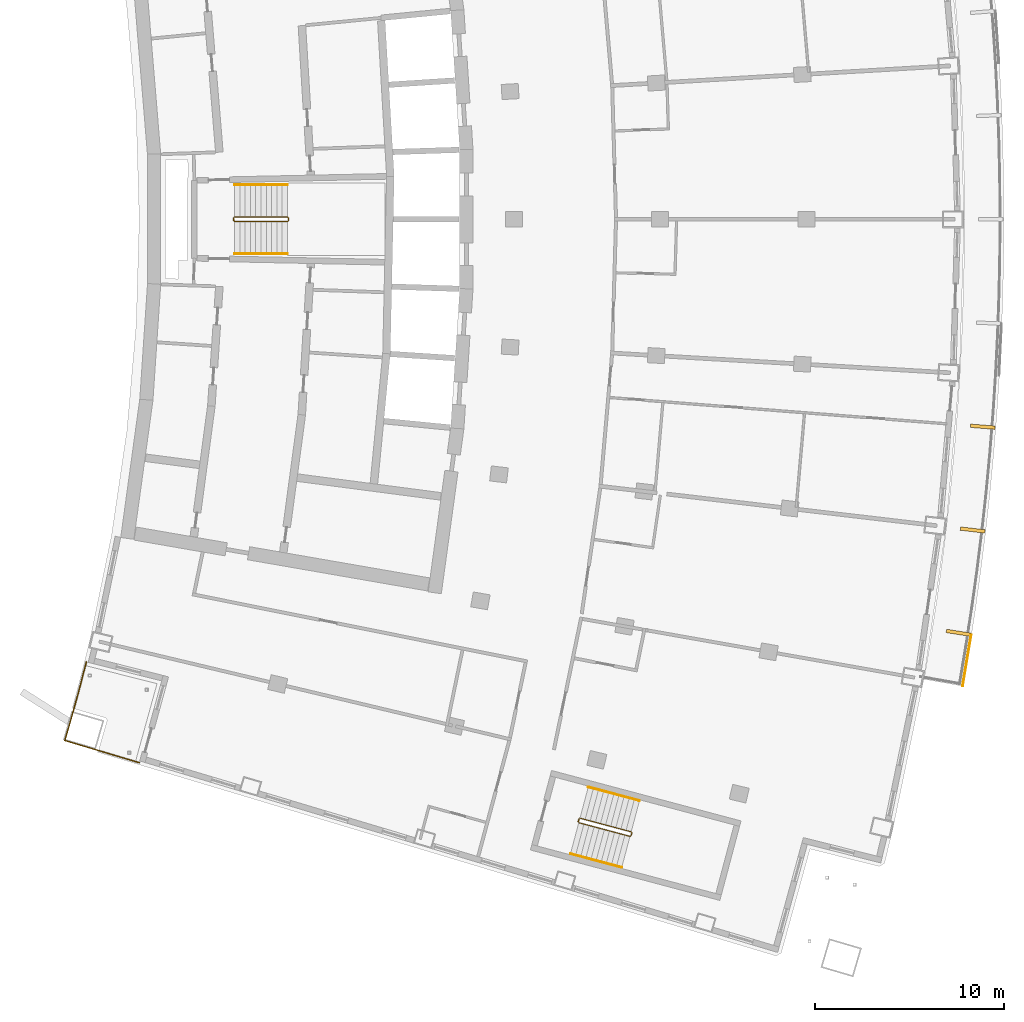
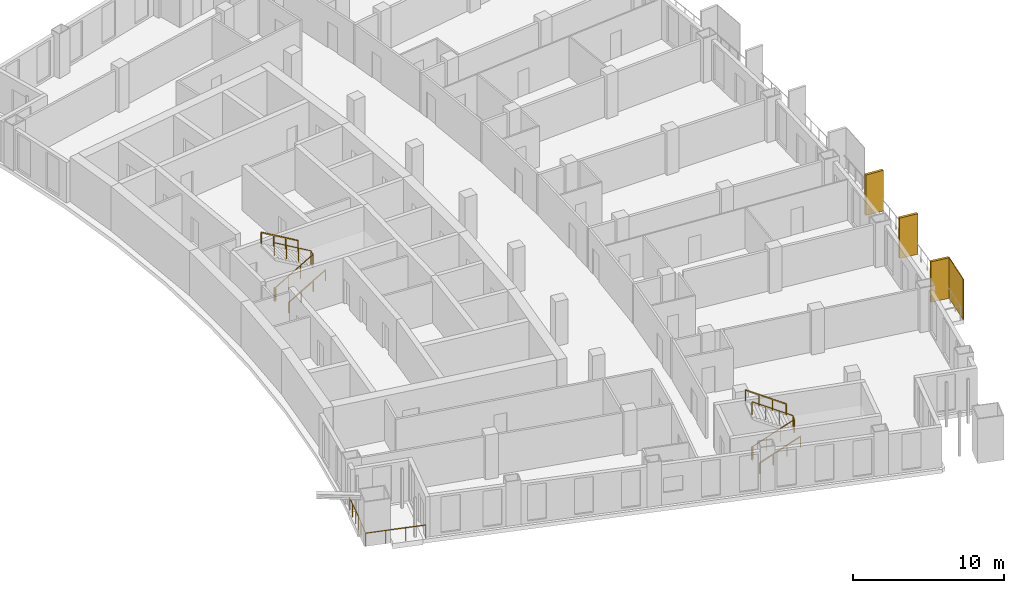
# One storey, part 17 of 19: 7 railings, 4 shading devices.
"""IFC4 building model written with IfcOpenShell, lengths in metres."""

import ifcopenshell
import ifcopenshell.guid

model = None  # the IFC model being written
_history = None  # IfcOwnerHistory: only IFC2X3 demands one
_inside = {}  # id of a spatial element -> (the spatial element, [elements in it])
_under = {}  # id of a project, library or spatial element -> (it, [spatial elements below it])
_declared = {}  # id of a project -> (the project, [libraries it declares])
_typed = {}  # id of a type object -> (the type object, [elements of that type])
_made_of = {}  # id of a material, layer set ... -> (it, [elements and type objects made of it])


def new_model(schema):
    """Start an empty IFC model of exactly this schema.

    Asked for "IFC4X3", IfcOpenShell would pick the latest addendum, in which some entities
    have other attributes; the version numbers below select the first issue.
    IFC2X3 requires an IfcOwnerHistory on every rooted entity: one is made here for all.
    """
    global model, _history
    if schema == "IFC4X3":
        model = ifcopenshell.file(schema_version=(4, 3, 0, 0))
    else:
        model = ifcopenshell.file(schema=schema)
    _inside.clear()
    _under.clear()
    _declared.clear()
    _typed.clear()
    _made_of.clear()
    _history = None
    if model.schema == "IFC2X3":
        org = make("IfcOrganization", Name="unknown")
        user = make(
            "IfcPersonAndOrganization",
            ThePerson=make("IfcPerson", FamilyName="unknown"),
            TheOrganization=org,
        )
        app = make(
            "IfcApplication",
            ApplicationDeveloper=org,
            Version="unknown",
            ApplicationFullName="unknown",
            ApplicationIdentifier="unknown",
        )
        _history = make(
            "IfcOwnerHistory",
            OwningUser=user,
            OwningApplication=app,
            ChangeAction="ADDED",
            CreationDate=0,
        )
    return model


def make(cls, **values):
    """One entity of the class cls with the attributes given. An attribute that is None is left unset."""
    return model.create_entity(
        cls, **{name: value for name, value in values.items() if value is not None}
    )


def rooted(cls, **values):
    """An entity with a GlobalId (a new one), such as an element, a storey or a relation."""
    return make(cls, GlobalId=ifcopenshell.guid.new(), OwnerHistory=_history, **values)


def si_unit(unit_type, name, prefix=None):
    """IfcSIUnit, for example si_unit("LENGTHUNIT", "METRE", prefix="MILLI")."""
    return make("IfcSIUnit", UnitType=unit_type, Prefix=prefix, Name=name)


def assignment(units):
    """IfcUnitAssignment: the units of a project."""
    return None if units is None else make("IfcUnitAssignment", Units=units)


def point(xyz):
    """IfcCartesianPoint."""
    return None if xyz is None else make("IfcCartesianPoint", Coordinates=xyz)


def direction(xyz):
    """IfcDirection."""
    return None if xyz is None else make("IfcDirection", DirectionRatios=xyz)


def frame(location, z_axis=None, x_axis=None):
    """IfcAxis2Placement3D, a coordinate frame: its origin and axes. An axis left out is left unset."""
    return make(
        "IfcAxis2Placement3D",
        Location=point(location),
        Axis=direction(z_axis),
        RefDirection=direction(x_axis),
    )


def frame_2d(location, x_axis=None):
    """IfcAxis2Placement2D, a coordinate frame in the plane: its origin and x axis."""
    return make(
        "IfcAxis2Placement2D", Location=point(location), RefDirection=direction(x_axis)
    )


def origin():
    """The frame at (0, 0, 0) with its axes left unset."""
    return frame((0.0, 0.0, 0.0))


def origin_with_axes():
    """The frame at (0, 0, 0) with the z axis (0, 0, 1) and the x axis (1, 0, 0) written out."""
    return frame((0.0, 0.0, 0.0), z_axis=(0.0, 0.0, 1.0), x_axis=(1.0, 0.0, 0.0))


def origin_2d():
    """The frame at (0, 0) in the plane with its x axis left unset."""
    return frame_2d((0.0, 0.0))


def place(relative_to, where):
    """IfcLocalPlacement: puts the frame where relative to a parent placement (None: the world)."""
    return make(
        "IfcLocalPlacement", PlacementRelTo=relative_to, RelativePlacement=where
    )


def context(
    kind, dimensions, precision=None, world=None, true_north=None, identifier=None
):
    """IfcGeometricRepresentationContext, for example the 3D "Model" context."""
    return make(
        "IfcGeometricRepresentationContext",
        ContextIdentifier=identifier,
        ContextType=kind,
        CoordinateSpaceDimension=dimensions,
        Precision=precision,
        WorldCoordinateSystem=world,
        TrueNorth=true_north,
    )


def subcontext(parent, identifier, kind, view, scale=None):
    """IfcGeometricRepresentationSubContext, for example "Body" below "Model"."""
    return make(
        "IfcGeometricRepresentationSubContext",
        ContextIdentifier=identifier,
        ContextType=kind,
        ParentContext=parent,
        TargetScale=scale,
        TargetView=view,
    )


def project(units=None, contexts=None):
    """IfcProject with its units and contexts."""
    return rooted(
        "IfcProject",
        Name="project",
        RepresentationContexts=contexts,
        UnitsInContext=assignment(units),
    )


def spatial(cls, under=None, at=None, **own):
    """A site, building, storey or space (cls), placed at a placement, below another one or the project."""
    s = rooted(cls, ObjectPlacement=at, **own)
    if under is not None:
        _under.setdefault(under.id(), (under, []))[1].append(s)
    return s


def profile(cls, at=None, kind="AREA", **sizes):
    """A parametric profile (cls). Its sizes go by their IFC names, for example OverallWidth=200.0."""
    return make(cls, ProfileType=kind, Position=at, **sizes)


def rectangle(**sizes):
    """IfcRectangleProfileDef."""
    return profile("IfcRectangleProfileDef", **sizes)


def extrude(swept, where, along, depth):
    """IfcExtrudedAreaSolid: the profile swept, set in the frame where, extruded along a direction by depth."""
    return make(
        "IfcExtrudedAreaSolid",
        SweptArea=swept,
        Position=where,
        ExtrudedDirection=direction(along),
        Depth=depth,
    )


def shape(context_of_items, identifier, shape_type, items):
    """IfcShapeRepresentation: the items that make up one representation, for example the "Body"."""
    return make(
        "IfcShapeRepresentation",
        ContextOfItems=context_of_items,
        RepresentationIdentifier=identifier,
        RepresentationType=shape_type,
        Items=items,
    )


def material(Name=None, Category=None):
    """IfcMaterial."""
    return make("IfcMaterial", Name=Name, Category=Category)


def layer(
    of_material, thickness, ventilated=None, Name=None, Category=None, Priority=None
):
    """IfcMaterialLayer: one layer of a wall or slab, of a material (None: an air gap)."""
    return make(
        "IfcMaterialLayer",
        Material=of_material,
        LayerThickness=thickness,
        IsVentilated=ventilated,
        Name=Name,
        Category=Category,
        Priority=Priority,
    )


def layer_set(layers, Name=None):
    """IfcMaterialLayerSet."""
    return make("IfcMaterialLayerSet", MaterialLayers=layers, LayerSetName=Name)


def made_of(thing, what):
    """Note that an element or type object is made of a material, layer set ...; save() writes the relation."""
    if what is not None:
        _made_of.setdefault(what.id(), (what, []))[1].append(thing)
    return thing


def type_object(cls, material=None, **own):
    """A type object (cls), such as IfcWallType, which elements share."""
    return made_of(rooted(cls, **own), material)


def element(
    cls,
    number,
    at=None,
    inside=None,
    cuts=None,
    type_object=None,
    material=None,
    context=None,
    identifier="Body",
    shape_type=None,
    held_by="IfcProductDefinitionShape",
    body=None,
    shapes=None,
    **own,
):
    """One element of the class cls, such as IfcWall. Its Tag is "e" and its number.

    at: its placement. inside: the storey or other place that contains it. cuts: it is an
    opening in that element (IfcRelVoidsElement). A single representation is given by context,
    identifier, shape_type and body (its items); several are given by shapes. held_by: the class
    of the entity that holds the representations. save() writes the other relations.
    """
    e = rooted(cls, Tag="e%d" % number, ObjectPlacement=at, **own)
    if body is not None:
        shapes = [shape(context, identifier, shape_type, body)]
    if shapes is not None:
        e.Representation = make(held_by, Representations=shapes)
    if inside is not None:
        _inside.setdefault(inside.id(), (inside, []))[1].append(e)
    if cuts is not None:
        rooted(
            "IfcRelVoidsElement", RelatingBuildingElement=cuts, RelatedOpeningElement=e
        )
    if type_object is not None:
        _typed.setdefault(type_object.id(), (type_object, []))[1].append(e)
    return made_of(e, material)


def aggregate(whole, parts):
    """IfcRelAggregates: a whole, such as a stair, and the parts it consists of."""
    return rooted("IfcRelAggregates", RelatingObject=whole, RelatedObjects=parts)


def save(model, path):
    """Write the relations noted so far, then the file.

    IfcRelAggregates (storeys below a building ...), IfcRelContainedInSpatialStructure (elements
    in a storey), IfcRelDefinesByType, IfcRelAssociatesMaterial and IfcRelDeclares: one each for
    every whole, place, type object, material and project.
    """
    for whole, parts in _under.values():
        aggregate(whole, parts)
    for where, things in _inside.values():
        rooted(
            "IfcRelContainedInSpatialStructure",
            RelatedElements=things,
            RelatingStructure=where,
        )
    for kind, things in _typed.values():
        rooted("IfcRelDefinesByType", RelatedObjects=things, RelatingType=kind)
    for what, things in _made_of.values():
        rooted("IfcRelAssociatesMaterial", RelatedObjects=things, RelatingMaterial=what)
    for by, libraries in _declared.values():
        rooted("IfcRelDeclares", RelatingContext=by, RelatedDefinitions=libraries)
    model.write(path)


model = new_model("IFC4")

# Units and contexts
model_context = context("Model", 3, precision=1e-05, world=origin(), true_north=direction((0.0, 1.0)))
body_context = subcontext(model_context, "Body", "Model", "MODEL_VIEW")
ifc_project = project(units=[si_unit("LENGTHUNIT", "METRE"), si_unit("AREAUNIT", "SQUARE_METRE"), si_unit("VOLUMEUNIT", "CUBIC_METRE"), si_unit("PLANEANGLEUNIT", "RADIAN"), si_unit("MASSUNIT", "GRAM", prefix="KILO")], contexts=[model_context])

# Site, building, storey
site_placement = place(None, origin())
site = spatial("IfcSite", under=ifc_project, at=site_placement, CompositionType="ELEMENT")
building_placement = place(site_placement, origin())
building = spatial("IfcBuilding", under=site, at=building_placement, Name="Alderwake Tower", CompositionType="ELEMENT")
storey_placement = place(building_placement, frame((0.0, 0.0, 174.800048828125)))
storey = spatial("IfcBuildingStorey", under=building, at=storey_placement, Name="L43", CompositionType="ELEMENT", Elevation=174.800048828125)

# Railing
ifc_material_1 = material(Name="Stainless steel 316 rail and posts", Category="steel")
railing_type_1 = type_object("IfcRailingType", Name="Balcony guard 1100", PredefinedType="GUARDRAIL", material=ifc_material_1)
railing_1_placement = place(storey_placement, frame((13.210693359375, 37.612548828125, 0.0)))
element("IfcRailing", 1, at=railing_1_placement, inside=storey, type_object=railing_type_1, Name="Guard terrace RS", PredefinedType="GUARDRAIL", context=body_context, shape_type="SweptSolid", body=[
    extrude(rectangle(XDim=0.048095703125, YDim=0.048095703125, at=origin_2d()), frame((0.0, 0.0, 1.076171875), z_axis=(-0.251385381433, -0.967887075026, 0.0), x_axis=(0.967887075026, -0.251385381433, 0.0)), (0.0, 0.0, 1.0), 1.6015625),
    extrude(rectangle(XDim=0.048095703125, YDim=0.048095703125, at=origin_2d()), frame((-0.402587890625, -1.550048828125, 1.076171875), z_axis=(-0.266520638672, -0.963829211615, 0.0), x_axis=(0.963829211615, -0.266520638672, 0.0)), (0.0, 0.0, 1.0), 1.401611328125),
    extrude(rectangle(XDim=0.048095703125, YDim=0.048095703125, at=origin_2d()), frame((-0.776123046875, -2.90087890625, 1.076171875), z_axis=(-0.280093650878, -0.959972680204, 0.0), x_axis=(0.959972680204, -0.280093650878, 0.0)), (0.0, 0.0, 1.0), 1.30126953125),
    extrude(rectangle(XDim=0.048095703125, YDim=0.048095703125, at=origin_2d()), frame((-1.140625, -4.150146484375, 1.076171875), z_axis=(0.958066871889, -0.286544706789, 0.0), x_axis=(0.286544706789, 0.958066871889, 0.0)), (0.0, 0.0, 1.0), 4.099853515625),
    extrude(rectangle(XDim=0.0419921875, YDim=0.0419921875, at=origin_2d()), frame((0.0, 0.0, 0.0), z_axis=(0.0, 0.0, 1.0), x_axis=(-0.251385381433, -0.967887075026, 0.0)), (0.0, 0.0, 1.0), 1.052001953125),
    extrude(rectangle(XDim=0.0419921875, YDim=0.0419921875, at=origin_2d()), frame((-0.201171875, -0.77490234375, 0.0), z_axis=(0.0, 0.0, 1.0), x_axis=(-0.251385381433, -0.967887075026, 0.0)), (0.0, 0.0, 1.0), 1.052001953125),
    extrude(rectangle(XDim=0.0419921875, YDim=0.0419921875, at=origin_2d()), frame((-0.402587890625, -1.550048828125, 0.0), z_axis=(0.0, 0.0, 1.0), x_axis=(-0.266520638672, -0.963829211615, 0.0)), (0.0, 0.0, 1.0), 1.052001953125),
    extrude(rectangle(XDim=0.0419921875, YDim=0.0419921875, at=origin_2d()), frame((-0.58935546875, -2.2255859375, 0.0), z_axis=(0.0, 0.0, 1.0), x_axis=(-0.266520638672, -0.963829211615, 0.0)), (0.0, 0.0, 1.0), 1.052001953125),
    extrude(rectangle(XDim=0.0419921875, YDim=0.0419921875, at=origin_2d()), frame((-0.776123046875, -2.90087890625, 0.0), z_axis=(0.0, 0.0, 1.0), x_axis=(-0.280093650878, -0.959972680204, 0.0)), (0.0, 0.0, 1.0), 1.052001953125),
    extrude(rectangle(XDim=0.0419921875, YDim=0.0419921875, at=origin_2d()), frame((-1.140625, -4.150146484375, 0.0), z_axis=(0.0, 0.0, 1.0), x_axis=(0.958066871889, -0.286544706789, 0.0)), (0.0, 0.0, 1.0), 1.052001953125),
    extrude(rectangle(XDim=0.0419921875, YDim=0.0419921875, at=origin_2d()), frame((0.168701171875, -4.541748046875, 0.0), z_axis=(0.0, 0.0, 1.0), x_axis=(0.958066871889, -0.286544706789, 0.0)), (0.0, 0.0, 1.0), 1.052001953125),
    extrude(rectangle(XDim=0.0419921875, YDim=0.0419921875, at=origin_2d()), frame((1.47802734375, -4.933349609375, 0.0), z_axis=(0.0, 0.0, 1.0), x_axis=(0.958066871889, -0.286544706789, 0.0)), (0.0, 0.0, 1.0), 1.052001953125),
    extrude(rectangle(XDim=0.0419921875, YDim=0.0419921875, at=origin_2d()), frame((2.787353515625, -5.324951171875, 0.0), z_axis=(0.0, 0.0, 1.0), x_axis=(0.958066871889, -0.286544706789, 0.0)), (0.0, 0.0, 1.0), 1.052001953125),
])

# Shading devices
ifc_material_2 = material(Name="Bronze anodised aluminium", Category="aluminium")
ifc_layer_1 = layer(ifc_material_2, 0.179931640625)
ifc_layer_set_1 = layer_set([ifc_layer_1], Name="Facade fin 1300")
shading_device_type_1 = type_object("IfcShadingDeviceType", Name="Facade fin 1300", PredefinedType="USERDEFINED", material=ifc_layer_set_1)
for number, where, z_axis, x_axis, name in (
    (2, (59.29638671875, 39.148681640625, 0.0), (0.0, 0.0, 1.0), (0.987918787879, -0.154972476771, 0.0), "Fin"),
    (3, (60.041015625, 44.58251953125, 0.0), (0.0, 0.0, 1.0), (0.993198315083, -0.116434990084, 0.0), "Fin"),
    (4, (60.573486328125, 50.041259765625, 0.0), (0.0, 0.0, 1.0), (0.996975122026, -0.077721335943, 0.0), "Fin"),
):
    element("IfcShadingDevice", number, at=place(storey_placement, frame(where, z_axis=z_axis, x_axis=x_axis)), inside=storey, type_object=shading_device_type_1, Name=name, ObjectType="FIN", PredefinedType="USERDEFINED", context=body_context, shape_type="SweptSolid", body=[
        extrude(rectangle(XDim=1.300048828125, YDim=0.179931640625, at=origin_2d()), origin(), (0.0, 0.0, 1.0), 3.280029296875),
    ])
ifc_material_3 = material(Name="Perforated bronze anodised aluminium", Category="aluminium")
ifc_layer_2 = layer(ifc_material_3, 0.050048828125)
ifc_layer_set_2 = layer_set([ifc_layer_2], Name="Perforated screen panel")
shading_device_type_2 = type_object("IfcShadingDeviceType", Name="Perforated screen panel", PredefinedType="USERDEFINED", material=ifc_layer_set_2)
shading_device_placement = place(storey_placement, frame((59.7373046875, 37.688720703125, 0.0), z_axis=(0.0, 0.0, 1.0), x_axis=(0.986369013299, -0.164548380739, 0.0)))
element("IfcShadingDevice", 5, at=shading_device_placement, inside=storey, type_object=shading_device_type_2, Name="Screen panel", ObjectType="SCREEN", PredefinedType="USERDEFINED", context=body_context, shape_type="SweptSolid", body=[
    extrude(rectangle(XDim=0.050048828125, YDim=2.74853515625, at=origin_2d()), origin(), (0.0, 0.0, 1.0), 3.280029296875),
])

# Railings
ifc_material_4 = material(Name="Stainless steel guard", Category="steel")
railing_type_2 = type_object("IfcRailingType", Name="Stair guard 1100", PredefinedType="GUARDRAIL", material=ifc_material_4)
railing_2_placement = place(storey_placement, frame((20.989990234375, 60.925048828125, 0.0)))
element("IfcRailing", 6, at=railing_2_placement, inside=storey, type_object=railing_type_2, Name="L43 ST-B stair guard 1", PredefinedType="GUARDRAIL", context=body_context, shape_type="SweptSolid", body=[
    extrude(rectangle(XDim=0.048095703125, YDim=0.048095703125, at=origin_2d()), frame((0.0, 0.0, 1.076171875), z_axis=(0.0, 1.0, 0.0), x_axis=(-1.0, 0.0, 0.0)), (0.0, 0.0, 1.0), 0.14990234375),
    extrude(rectangle(XDim=0.048095703125, YDim=0.048095703125, at=origin_2d()), frame((0.0, 0.14990234375, 1.076171875), z_axis=(0.190199549216, -0.759870394187, 0.621627795), x_axis=(0.970072785993, 0.242814311512, 0.0)), (0.0, 0.0, 1.0), 0.26318359375),
    extrude(rectangle(XDim=0.048095703125, YDim=0.048095703125, at=origin_2d()), frame((0.050048828125, -0.050048828125, 1.23974609375), z_axis=(0.863360870873, 0.0, 0.504586966384), x_axis=(0.0, 1.0, 0.0)), (0.0, 0.0, 1.0), 3.2431640625),
    extrude(rectangle(XDim=0.048095703125, YDim=0.048095703125, at=origin_2d()), frame((2.85009765625, -0.050048828125, 2.8759765625), z_axis=(0.705375805398, 0.708833529934, 0.0), x_axis=(-0.708833529934, 0.705375805398, 0.0)), (0.0, 0.0, 1.0), 0.070556640625),
    extrude(rectangle(XDim=0.048095703125, YDim=0.048095703125, at=origin_2d()), frame((2.89990234375, 0.0, 2.8759765625), z_axis=(0.0, 1.0, 0.0), x_axis=(-1.0, 0.0, 0.0)), (0.0, 0.0, 1.0), 0.14990234375),
    extrude(rectangle(XDim=0.048095703125, YDim=0.048095703125, at=origin_2d()), frame((2.89990234375, 0.14990234375, 2.8759765625), z_axis=(-0.279546231943, 0.280916556609, 0.91811752648), x_axis=(-0.708833529934, -0.705375805398, 0.0)), (0.0, 0.0, 1.0), 0.17822265625),
    extrude(rectangle(XDim=0.048095703125, YDim=0.048095703125, at=origin_2d()), frame((2.85009765625, 0.199951171875, 3.03955078125), z_axis=(-0.863393664356, 0.0, 0.504530851732), x_axis=(0.0, -1.0, 0.0)), (0.0, 0.0, 1.0), 3.2431640625),
    extrude(rectangle(XDim=0.0419921875, YDim=0.0419921875, at=origin_2d()), frame((0.0, 0.0, 0.0), z_axis=(0.0, 0.0, 1.0), x_axis=(0.0, 1.0, 0.0)), (0.0, 0.0, 1.0), 1.052001953125),
    extrude(rectangle(XDim=0.0419921875, YDim=0.0419921875, at=origin_2d()), frame((0.0, 0.14990234375, 0.0), z_axis=(0.0, 0.0, 1.0), x_axis=(0.242814311512, -0.970072785993, 0.0)), (0.0, 0.0, 1.0), 1.052001953125),
    extrude(rectangle(XDim=0.0419921875, YDim=0.0419921875, at=origin_2d()), frame((0.050048828125, -0.050048828125, 0.16357421875), z_axis=(0.0, 0.0, 1.0), x_axis=(1.0, 0.0, 0.0)), (0.0, 0.0, 1.0), 1.052001953125),
    extrude(rectangle(XDim=0.0419921875, YDim=0.0419921875, at=origin_2d()), frame((0.9833984375, -0.050048828125, 0.708984375), z_axis=(0.0, 0.0, 1.0), x_axis=(1.0, 0.0, 0.0)), (0.0, 0.0, 1.0), 1.052001953125),
    extrude(rectangle(XDim=0.0419921875, YDim=0.0419921875, at=origin_2d()), frame((1.916748046875, -0.050048828125, 1.254638671875), z_axis=(0.0, 0.0, 1.0), x_axis=(1.0, 0.0, 0.0)), (0.0, 0.0, 1.0), 1.052001953125),
    extrude(rectangle(XDim=0.0419921875, YDim=0.0419921875, at=origin_2d()), frame((2.85009765625, -0.050048828125, 1.800048828125), z_axis=(0.0, 0.0, 1.0), x_axis=(0.705375805398, 0.708833529934, 0.0)), (0.0, 0.0, 1.0), 1.052001953125),
    extrude(rectangle(XDim=0.0419921875, YDim=0.0419921875, at=origin_2d()), frame((2.89990234375, 0.0, 1.800048828125), z_axis=(0.0, 0.0, 1.0), x_axis=(0.0, 1.0, 0.0)), (0.0, 0.0, 1.0), 1.052001953125),
    extrude(rectangle(XDim=0.0419921875, YDim=0.0419921875, at=origin_2d()), frame((2.89990234375, 0.14990234375, 1.800048828125), z_axis=(0.0, 0.0, 1.0), x_axis=(-0.705375805398, 0.708833529934, 0.0)), (0.0, 0.0, 1.0), 1.052001953125),
    extrude(rectangle(XDim=0.0419921875, YDim=0.0419921875, at=origin_2d()), frame((2.85009765625, 0.199951171875, 1.963623046875), z_axis=(0.0, 0.0, 1.0), x_axis=(-1.0, 0.0, 0.0)), (0.0, 0.0, 1.0), 1.052001953125),
    extrude(rectangle(XDim=0.0419921875, YDim=0.0419921875, at=origin_2d()), frame((1.916748046875, 0.199951171875, 2.509033203125), z_axis=(0.0, 0.0, 1.0), x_axis=(-1.0, 0.0, 0.0)), (0.0, 0.0, 1.0), 1.052001953125),
    extrude(rectangle(XDim=0.0419921875, YDim=0.0419921875, at=origin_2d()), frame((0.9833984375, 0.199951171875, 3.054443359375), z_axis=(0.0, 0.0, 1.0), x_axis=(-1.0, 0.0, 0.0)), (0.0, 0.0, 1.0), 1.052001953125),
    extrude(rectangle(XDim=0.0419921875, YDim=0.0419921875, at=origin_2d()), frame((0.050048828125, 0.199951171875, 3.599853515625), z_axis=(0.0, 0.0, 1.0), x_axis=(-1.0, 0.0, 0.0)), (0.0, 0.0, 1.0), 1.052001953125),
])
railing_3_placement = place(storey_placement, frame((39.1943359375, 29.17431640625, 0.0)))
element("IfcRailing", 7, at=railing_3_placement, inside=storey, type_object=railing_type_2, Name="L43 ST-C stair guard 1", PredefinedType="GUARDRAIL", context=body_context, shape_type="SweptSolid", body=[
    extrude(rectangle(XDim=0.048095703125, YDim=0.048095703125, at=origin_2d()), frame((0.0, 0.0, 1.076171875), z_axis=(0.257459803502, 0.966289009345, 0.0), x_axis=(-0.966289009345, 0.257459803502, 0.0)), (0.0, 0.0, 1.0), 0.14990234375),
    extrude(rectangle(XDim=0.048095703125, YDim=0.048095703125, at=origin_2d()), frame((0.03857421875, 0.144775390625, 1.076171875), z_axis=(-0.012062893862, -0.783160186125, 0.621702991355), x_axis=(0.999881397308, -0.015401016783, 0.0)), (0.0, 0.0, 1.0), 0.26318359375),
    extrude(rectangle(XDim=0.048095703125, YDim=0.048095703125, at=origin_2d()), frame((0.035400390625, -0.061279296875, 1.23974609375), z_axis=(0.834281824786, -0.222214197128, 0.504573768072), x_axis=(0.257380452725, 0.966310148221, 0.0)), (0.0, 0.0, 1.0), 3.2431640625),
    extrude(rectangle(XDim=0.048095703125, YDim=0.048095703125, at=origin_2d()), frame((2.7412109375, -0.781982421875, 2.8759765625), z_axis=(0.865031189262, 0.501718089772, 0.0), x_axis=(-0.501718089772, 0.865031189262, 0.0)), (0.0, 0.0, 1.0), 0.070556640625),
    extrude(rectangle(XDim=0.048095703125, YDim=0.048095703125, at=origin_2d()), frame((2.80224609375, -0.74658203125, 2.8759765625), z_axis=(0.257055032184, 0.966396766566, 0.0), x_axis=(-0.966396766566, 0.257055032184, 0.0)), (0.0, 0.0, 1.0), 0.150146484375),
    extrude(rectangle(XDim=0.048095703125, YDim=0.048095703125, at=origin_2d()), frame((2.8408203125, -0.6015625, 2.8759765625), z_axis=(-0.198625291617, 0.343827228937, 0.91778583023), x_axis=(-0.865898279276, -0.500220121494, 0.0)), (0.0, 0.0, 1.0), 0.17822265625),
    extrude(rectangle(XDim=0.048095703125, YDim=0.048095703125, at=origin_2d()), frame((2.805419921875, -0.540283203125, 3.03955078125), z_axis=(-0.834290631165, 0.222236594766, 0.504549342183), x_axis=(-0.257402139082, -0.966304371715, 0.0)), (0.0, 0.0, 1.0), 3.242919921875),
    extrude(rectangle(XDim=0.0419921875, YDim=0.0419921875, at=origin_2d()), frame((0.0, 0.0, 0.0), z_axis=(0.0, 0.0, 1.0), x_axis=(0.257459803502, 0.966289009345, 0.0)), (0.0, 0.0, 1.0), 1.052001953125),
    extrude(rectangle(XDim=0.0419921875, YDim=0.0419921875, at=origin_2d()), frame((0.03857421875, 0.144775390625, 0.0), z_axis=(0.0, 0.0, 1.0), x_axis=(-0.015401016783, -0.999881397308, 0.0)), (0.0, 0.0, 1.0), 1.052001953125),
    extrude(rectangle(XDim=0.0419921875, YDim=0.0419921875, at=origin_2d()), frame((0.035400390625, -0.061279296875, 0.16357421875), z_axis=(0.0, 0.0, 1.0), x_axis=(0.966310148221, -0.257380452725, 0.0)), (0.0, 0.0, 1.0), 1.052001953125),
    extrude(rectangle(XDim=0.0419921875, YDim=0.0419921875, at=origin_2d()), frame((0.937255859375, -0.301513671875, 0.708984375), z_axis=(0.0, 0.0, 1.0), x_axis=(0.966310148221, -0.257380452725, 0.0)), (0.0, 0.0, 1.0), 1.052001953125),
    extrude(rectangle(XDim=0.0419921875, YDim=0.0419921875, at=origin_2d()), frame((1.83935546875, -0.541748046875, 1.254638671875), z_axis=(0.0, 0.0, 1.0), x_axis=(0.966310148221, -0.257380452725, 0.0)), (0.0, 0.0, 1.0), 1.052001953125),
    extrude(rectangle(XDim=0.0419921875, YDim=0.0419921875, at=origin_2d()), frame((2.7412109375, -0.781982421875, 1.800048828125), z_axis=(0.0, 0.0, 1.0), x_axis=(0.865031189262, 0.501718089772, 0.0)), (0.0, 0.0, 1.0), 1.052001953125),
    extrude(rectangle(XDim=0.0419921875, YDim=0.0419921875, at=origin_2d()), frame((2.80224609375, -0.74658203125, 1.800048828125), z_axis=(0.0, 0.0, 1.0), x_axis=(0.257055032184, 0.966396766566, 0.0)), (0.0, 0.0, 1.0), 1.052001953125),
    extrude(rectangle(XDim=0.0419921875, YDim=0.0419921875, at=origin_2d()), frame((2.8408203125, -0.6015625, 1.800048828125), z_axis=(0.0, 0.0, 1.0), x_axis=(-0.500220121494, 0.865898279276, 0.0)), (0.0, 0.0, 1.0), 1.052001953125),
    extrude(rectangle(XDim=0.0419921875, YDim=0.0419921875, at=origin_2d()), frame((2.805419921875, -0.540283203125, 1.963623046875), z_axis=(0.0, 0.0, 1.0), x_axis=(-0.966304371715, 0.257402139082, 0.0)), (0.0, 0.0, 1.0), 1.052001953125),
    extrude(rectangle(XDim=0.0419921875, YDim=0.0419921875, at=origin_2d()), frame((1.903564453125, -0.300048828125, 2.509033203125), z_axis=(0.0, 0.0, 1.0), x_axis=(-0.966304371715, 0.257402139082, 0.0)), (0.0, 0.0, 1.0), 1.052001953125),
    extrude(rectangle(XDim=0.0419921875, YDim=0.0419921875, at=origin_2d()), frame((1.001708984375, -0.059814453125, 3.054443359375), z_axis=(0.0, 0.0, 1.0), x_axis=(-0.966304371715, 0.257402139082, 0.0)), (0.0, 0.0, 1.0), 1.052001953125),
    extrude(rectangle(XDim=0.0419921875, YDim=0.0419921875, at=origin_2d()), frame((0.099853515625, 0.180419921875, 3.599853515625), z_axis=(0.0, 0.0, 1.0), x_axis=(-0.966304371715, 0.257402139082, 0.0)), (0.0, 0.0, 1.0), 1.052001953125),
])
ifc_material_5 = material(Name="Stainless steel handrail", Category="steel")
railing_type_3 = type_object("IfcRailingType", Name="Stair handrail 900", PredefinedType="HANDRAIL", material=ifc_material_5)
railing_4_placement = place(storey_placement, frame((21.0400390625, 59.175048828125, 0.16357421875)))
element("IfcRailing", 8, at=railing_4_placement, inside=storey, type_object=railing_type_3, Name="L43 ST-B stair handrail 1", PredefinedType="HANDRAIL", context=body_context, shape_type="SweptSolid", body=[
    extrude(rectangle(XDim=0.048095703125, YDim=0.048095703125, at=origin_2d()), frame((0.0, 0.0, 0.8759765625), z_axis=(0.863360870873, 0.0, 0.504586966384), x_axis=(0.0, 1.0, 0.0)), (0.0, 0.0, 1.0), 3.2431640625),
    extrude(rectangle(XDim=0.0419921875, YDim=0.0419921875, at=origin_2d()), origin_with_axes(), (0.0, 0.0, 1.0), 0.851806640625),
    extrude(rectangle(XDim=0.0419921875, YDim=0.0419921875, at=origin_2d()), frame((0.933349609375, 0.0, 0.54541015625), z_axis=(0.0, 0.0, 1.0), x_axis=(1.0, 0.0, 0.0)), (0.0, 0.0, 1.0), 0.851806640625),
    extrude(rectangle(XDim=0.0419921875, YDim=0.0419921875, at=origin_2d()), frame((1.86669921875, 0.0, 1.091064453125), z_axis=(0.0, 0.0, 1.0), x_axis=(1.0, 0.0, 0.0)), (0.0, 0.0, 1.0), 0.851806640625),
    extrude(rectangle(XDim=0.0419921875, YDim=0.0419921875, at=origin_2d()), frame((2.800048828125, 0.0, 1.636474609375), z_axis=(0.0, 0.0, 1.0), x_axis=(1.0, 0.0, 0.0)), (0.0, 0.0, 1.0), 0.851806640625),
])
railing_5_placement = place(storey_placement, frame((23.840087890625, 62.824951171875, 1.963623046875)))
element("IfcRailing", 9, at=railing_5_placement, inside=storey, type_object=railing_type_3, Name="L43 ST-B stair handrail 2", PredefinedType="HANDRAIL", context=body_context, shape_type="SweptSolid", body=[
    extrude(rectangle(XDim=0.048095703125, YDim=0.048095703125, at=origin_2d()), frame((0.0, 0.0, 0.8759765625), z_axis=(-0.863393664356, 0.0, 0.504530851732), x_axis=(0.0, -1.0, 0.0)), (0.0, 0.0, 1.0), 3.2431640625),
    extrude(rectangle(XDim=0.0419921875, YDim=0.0419921875, at=origin_2d()), frame((0.0, 0.0, 0.0), z_axis=(0.0, 0.0, 1.0), x_axis=(-1.0, 0.0, 0.0)), (0.0, 0.0, 1.0), 0.851806640625),
    extrude(rectangle(XDim=0.0419921875, YDim=0.0419921875, at=origin_2d()), frame((-0.933349609375, 0.0, 0.54541015625), z_axis=(0.0, 0.0, 1.0), x_axis=(-1.0, 0.0, 0.0)), (0.0, 0.0, 1.0), 0.851806640625),
    extrude(rectangle(XDim=0.0419921875, YDim=0.0419921875, at=origin_2d()), frame((-1.86669921875, 0.0, 1.0908203125), z_axis=(0.0, 0.0, 1.0), x_axis=(-1.0, 0.0, 0.0)), (0.0, 0.0, 1.0), 0.851806640625),
    extrude(rectangle(XDim=0.0419921875, YDim=0.0419921875, at=origin_2d()), frame((-2.800048828125, 0.0, 1.63623046875), z_axis=(0.0, 0.0, 1.0), x_axis=(-1.0, 0.0, 0.0)), (0.0, 0.0, 1.0), 0.851806640625),
])
railing_6_placement = place(storey_placement, frame((38.792236328125, 27.47021484375, 0.16357421875)))
element("IfcRailing", 10, at=railing_6_placement, inside=storey, type_object=railing_type_3, Name="L43 ST-C stair handrail 1", PredefinedType="HANDRAIL", context=body_context, shape_type="SweptSolid", body=[
    extrude(rectangle(XDim=0.048095703125, YDim=0.048095703125, at=origin_2d()), frame((0.0, 0.0, 0.8759765625), z_axis=(0.834272895437, -0.222156588561, 0.504613898043), x_axis=(0.25732071773, 0.966326056891, 0.0)), (0.0, 0.0, 1.0), 3.242919921875),
    extrude(rectangle(XDim=0.0419921875, YDim=0.0419921875, at=origin_2d()), frame((0.0, 0.0, 0.0), z_axis=(0.0, 0.0, 1.0), x_axis=(0.966326056891, -0.25732071773, 0.0)), (0.0, 0.0, 1.0), 0.851806640625),
    extrude(rectangle(XDim=0.0419921875, YDim=0.0419921875, at=origin_2d()), frame((0.90185546875, -0.240234375, 0.54541015625), z_axis=(0.0, 0.0, 1.0), x_axis=(0.966326056891, -0.25732071773, 0.0)), (0.0, 0.0, 1.0), 0.851806640625),
    extrude(rectangle(XDim=0.0419921875, YDim=0.0419921875, at=origin_2d()), frame((1.8037109375, -0.480224609375, 1.091064453125), z_axis=(0.0, 0.0, 1.0), x_axis=(0.966326056891, -0.25732071773, 0.0)), (0.0, 0.0, 1.0), 0.851806640625),
    extrude(rectangle(XDim=0.0419921875, YDim=0.0419921875, at=origin_2d()), frame((2.70556640625, -0.720458984375, 1.636474609375), z_axis=(0.0, 0.0, 1.0), x_axis=(0.966326056891, -0.25732071773, 0.0)), (0.0, 0.0, 1.0), 0.851806640625),
])
railing_7_placement = place(storey_placement, frame((42.437255859375, 30.276611328125, 1.963623046875)))
element("IfcRailing", 11, at=railing_7_placement, inside=storey, type_object=railing_type_3, Name="L43 ST-C stair handrail 2", PredefinedType="HANDRAIL", context=body_context, shape_type="SweptSolid", body=[
    extrude(rectangle(XDim=0.048095703125, YDim=0.048095703125, at=origin_2d()), frame((0.0, 0.0, 0.8759765625), z_axis=(-0.834290631165, 0.222236594766, 0.504549342183), x_axis=(-0.257402139082, -0.966304371715, 0.0)), (0.0, 0.0, 1.0), 3.242919921875),
    extrude(rectangle(XDim=0.0419921875, YDim=0.0419921875, at=origin_2d()), frame((0.0, 0.0, 0.0), z_axis=(0.0, 0.0, 1.0), x_axis=(-0.966304371715, 0.257402139082, 0.0)), (0.0, 0.0, 1.0), 0.851806640625),
    extrude(rectangle(XDim=0.0419921875, YDim=0.0419921875, at=origin_2d()), frame((-0.90185546875, 0.240234375, 0.54541015625), z_axis=(0.0, 0.0, 1.0), x_axis=(-0.966304371715, 0.257402139082, 0.0)), (0.0, 0.0, 1.0), 0.851806640625),
    extrude(rectangle(XDim=0.0419921875, YDim=0.0419921875, at=origin_2d()), frame((-1.8037109375, 0.48046875, 1.0908203125), z_axis=(0.0, 0.0, 1.0), x_axis=(-0.966304371715, 0.257402139082, 0.0)), (0.0, 0.0, 1.0), 0.851806640625),
    extrude(rectangle(XDim=0.0419921875, YDim=0.0419921875, at=origin_2d()), frame((-2.70556640625, 0.720703125, 1.63623046875), z_axis=(0.0, 0.0, 1.0), x_axis=(-0.966304371715, 0.257402139082, 0.0)), (0.0, 0.0, 1.0), 0.851806640625),
])

save(model, "model.ifc")
